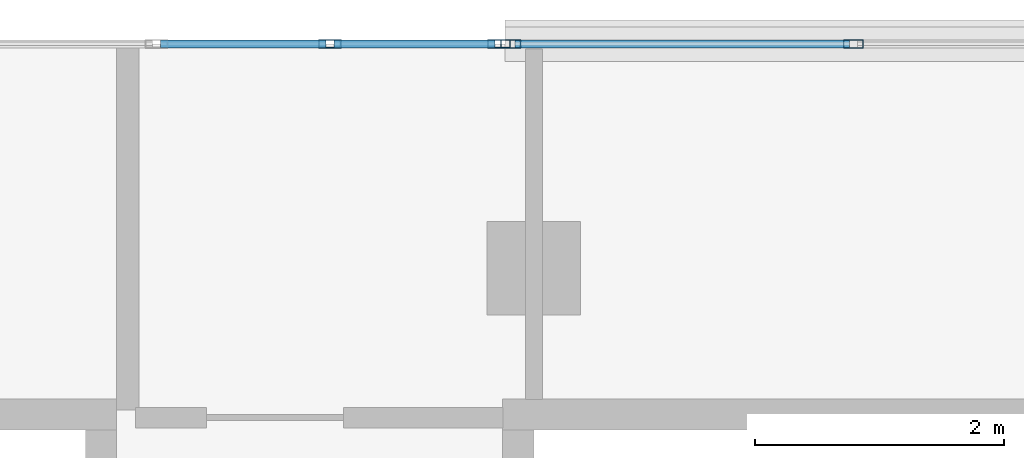
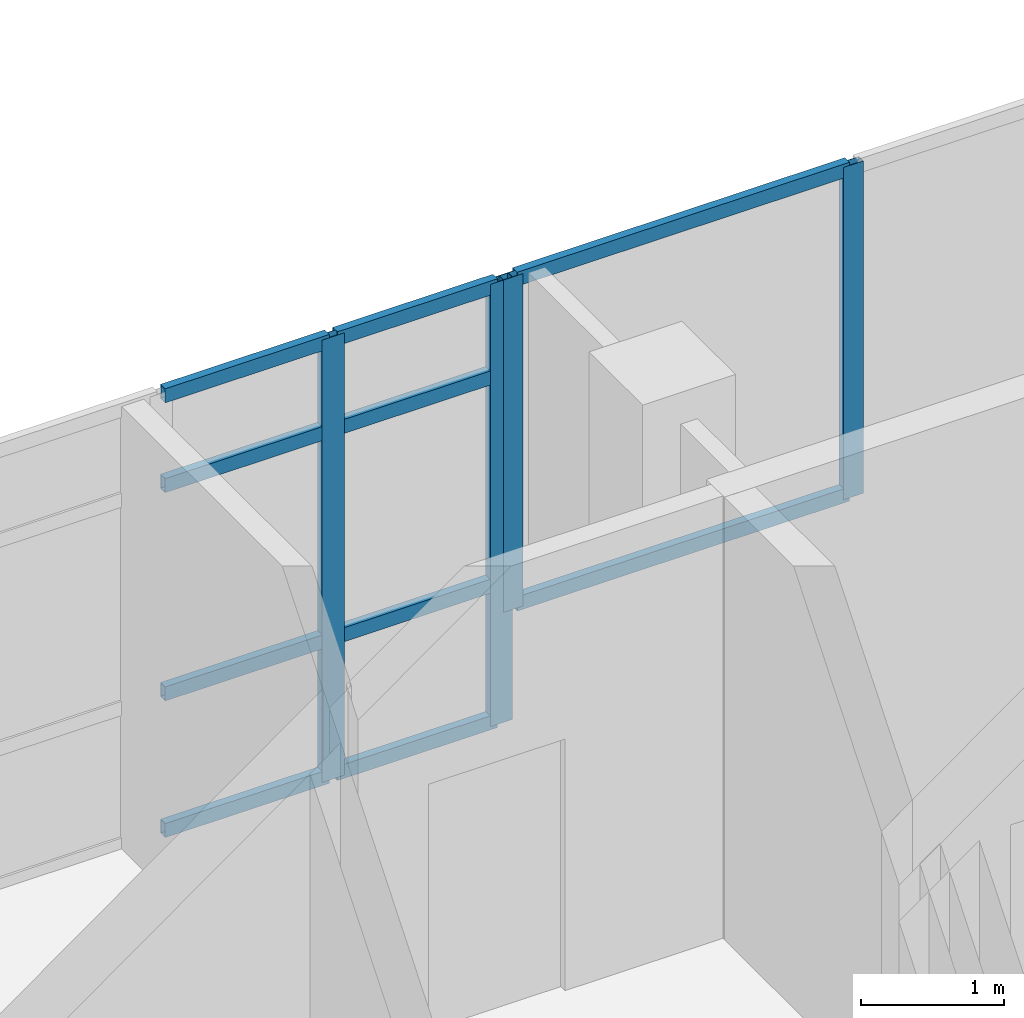
# One storey, part 40 of 76: 14 members, 2 elements without a shape of their own.
"""IFC4 building model written with IfcOpenShell, lengths in metres."""

from ifc_helpers import new_model, si_unit, direction, frame, origin, origin_2d, place, context, subcontext, project, spatial, hollow_rectangle, extrude, material, material_profile, profile_set, type_object, element, aggregate, save


model = new_model("IFC4")

# Units and contexts
model_context = context("Model", 3, precision=1e-05, world=origin(), true_north=direction((0.0, 1.0)))
body_context = subcontext(model_context, "Body", "Model", "MODEL_VIEW")
ifc_project = project(units=[si_unit("LENGTHUNIT", "METRE"), si_unit("AREAUNIT", "SQUARE_METRE"), si_unit("VOLUMEUNIT", "CUBIC_METRE"), si_unit("PLANEANGLEUNIT", "RADIAN"), si_unit("MASSUNIT", "GRAM", prefix="KILO")], contexts=[model_context])

# Site, building, storey
site_placement = place(None, origin())
site = spatial("IfcSite", under=ifc_project, at=site_placement, CompositionType="ELEMENT")
building_placement = place(site_placement, origin())
building = spatial("IfcBuilding", under=site, at=building_placement, Name="Selatvlak General Hospital", CompositionType="ELEMENT")
storey_placement = place(building_placement, frame((0.0, 0.0, 27.300048828125)))
storey = spatial("IfcBuildingStorey", under=building, at=storey_placement, Name="L06", CompositionType="ELEMENT", Elevation=27.300048828125)

# Curtain wall, members
ifc_material_1 = material(Name="Solar-control Low-E double glazing", Category="glass")
curtain_wall_type_1 = type_object("IfcCurtainWallType", Name="CW-CW-01", PredefinedType="USERDEFINED", material=ifc_material_1)
curtain_wall_1_placement = place(storey_placement, origin())
curtain_wall_1 = element("IfcCurtainWall", 1, at=curtain_wall_1_placement, inside=storey, type_object=curtain_wall_type_1, Name="Glazed facade curtain wall CW-L06-0609", ObjectType="UNITISED CURTAIN WALL", PredefinedType="USERDEFINED")
ifc_material_2 = material(Name="Dark anodised aluminium mullion", Category="aluminium")
ifc_material_profile_1 = material_profile(ifc_material_2, hollow_rectangle(XDim=0.06494140625, YDim=0.159912109375, WallThickness=0.00390625, at=origin_2d()), Name="AL-MUL 65x160x4")
ifc_profile_set_1 = profile_set([ifc_material_profile_1], Name="Dark anodised aluminium mullion")
member_type_1 = type_object("IfcMemberType", Name="CWM-01", PredefinedType="MULLION", material=ifc_profile_set_1)
member_1_placement = place(storey_placement, frame((115.015380859375, 120.0, 0.93994140625), z_axis=(0.0, 0.0, 1.0), x_axis=(0.0, 1.0, 0.0)))
member_1 = element("IfcMember", 2, at=member_1_placement, type_object=member_type_1, Name="CW-01 mullion 1", PredefinedType="MULLION", context=body_context, shape_type="SweptSolid", body=[
    extrude(hollow_rectangle(XDim=0.06494140625, YDim=0.159912109375, WallThickness=0.00390625, at=origin_2d()), origin(), (0.0, 0.0, 1.0), 2.840087890625),
])
member_2_placement = place(storey_placement, frame((117.76611328125, 120.0, 0.93994140625), z_axis=(0.0, 0.0, 1.0), x_axis=(0.0, 1.0, 0.0)))
member_2 = element("IfcMember", 3, at=member_2_placement, type_object=member_type_1, Name="CW-01 mullion 2", PredefinedType="MULLION", context=body_context, shape_type="SweptSolid", body=[
    extrude(hollow_rectangle(XDim=0.06494140625, YDim=0.159912109375, WallThickness=0.00390625, at=origin_2d()), origin(), (0.0, 0.0, 1.0), 2.840087890625),
])

curtain_wall_type_2 = type_object("IfcCurtainWallType", Name="CW-CW-04", PredefinedType="USERDEFINED", material=ifc_material_1)
curtain_wall_2_placement = place(storey_placement, origin())
curtain_wall_2 = element("IfcCurtainWall", 4, at=curtain_wall_2_placement, inside=storey, type_object=curtain_wall_type_2, Name="Glazed facade curtain wall CW-L06-0608", ObjectType="STICK GLAZING WALL", PredefinedType="USERDEFINED")
ifc_material_profile_2 = material_profile(ifc_material_2, hollow_rectangle(XDim=0.06494140625, YDim=0.179931640625, WallThickness=0.00439453125, at=origin_2d()), Name="AL-MUL 65x180x4.5")
ifc_profile_set_2 = profile_set([ifc_material_profile_2], Name="Dark anodised aluminium mullion")
member_type_2 = type_object("IfcMemberType", Name="CWM-02", PredefinedType="MULLION", material=ifc_profile_set_2)
member_3_placement = place(storey_placement, frame((113.5615234375, 120.0, 0.0), z_axis=(0.0, 0.0, 1.0), x_axis=(0.0, 1.0, 0.0)))
member_3 = element("IfcMember", 5, at=member_3_placement, type_object=member_type_2, Name="CW-04 mullion 6", PredefinedType="MULLION", context=body_context, shape_type="SweptSolid", body=[
    extrude(hollow_rectangle(XDim=0.06494140625, YDim=0.179931640625, WallThickness=0.00439453125, at=origin_2d()), origin(), (0.0, 0.0, 1.0), 3.780029296875),
])
member_4_placement = place(storey_placement, frame((114.92041015625, 120.0, 0.0), z_axis=(0.0, 0.0, 1.0), x_axis=(0.0, 1.0, 0.0)))
member_4 = element("IfcMember", 6, at=member_4_placement, type_object=member_type_2, Name="CW-04 mullion 7", PredefinedType="MULLION", context=body_context, shape_type="SweptSolid", body=[
    extrude(hollow_rectangle(XDim=0.06494140625, YDim=0.179931640625, WallThickness=0.00439453125, at=origin_2d()), origin(), (0.0, 0.0, 1.0), 3.780029296875),
])
ifc_material_profile_3 = material_profile(ifc_material_2, hollow_rectangle(XDim=0.06494140625, YDim=0.1201171875, WallThickness=0.00390625, at=origin_2d()), Name="AL-TRN 65x120x4")
ifc_profile_set_3 = profile_set([ifc_material_profile_3], Name="Dark anodised aluminium mullion")
member_type_3 = type_object("IfcMemberType", Name="CWT-01", PredefinedType="USERDEFINED", material=ifc_profile_set_3)
member_5_placement = place(storey_placement, frame((112.202392578125, 120.0, 0.032470703125), z_axis=(1.0, 0.0, 0.0), x_axis=(0.0, 1.0, 0.0)))
member_5 = element("IfcMember", 7, at=member_5_placement, type_object=member_type_3, Name="CW-04 transom 5.1", ObjectType="TRANSOM", PredefinedType="USERDEFINED", context=body_context, shape_type="SweptSolid", body=[
    extrude(hollow_rectangle(XDim=0.06494140625, YDim=0.1201171875, WallThickness=0.00390625, at=origin_2d()), origin(), (0.0, 0.0, 1.0), 1.32666015625),
])
member_6_placement = place(storey_placement, frame((112.202392578125, 120.0, 1.199951171875), z_axis=(1.0, 0.0, 0.0), x_axis=(0.0, 1.0, 0.0)))
member_6 = element("IfcMember", 8, at=member_6_placement, type_object=member_type_3, Name="CW-04 transom 5.2", ObjectType="TRANSOM", PredefinedType="USERDEFINED", context=body_context, shape_type="SweptSolid", body=[
    extrude(hollow_rectangle(XDim=0.06494140625, YDim=0.1201171875, WallThickness=0.00390625, at=origin_2d()), origin(), (0.0, 0.0, 1.0), 1.32666015625),
])
member_7_placement = place(storey_placement, frame((112.202392578125, 120.0, 2.97998046875), z_axis=(1.0, 0.0, 0.0), x_axis=(0.0, 1.0, 0.0)))
member_7 = element("IfcMember", 9, at=member_7_placement, type_object=member_type_3, Name="CW-04 transom 5.3", ObjectType="TRANSOM", PredefinedType="USERDEFINED", context=body_context, shape_type="SweptSolid", body=[
    extrude(hollow_rectangle(XDim=0.06494140625, YDim=0.1201171875, WallThickness=0.00390625, at=origin_2d()), origin(), (0.0, 0.0, 1.0), 1.32666015625),
])
member_8_placement = place(storey_placement, frame((112.202392578125, 120.0, 3.74755859375), z_axis=(1.0, 0.0, 0.0), x_axis=(0.0, 1.0, 0.0)))
member_8 = element("IfcMember", 10, at=member_8_placement, type_object=member_type_3, Name="CW-04 transom 5.4", ObjectType="TRANSOM", PredefinedType="USERDEFINED", context=body_context, shape_type="SweptSolid", body=[
    extrude(hollow_rectangle(XDim=0.06494140625, YDim=0.1201171875, WallThickness=0.00390625, at=origin_2d()), origin(), (0.0, 0.0, 1.0), 1.32666015625),
])
member_9_placement = place(storey_placement, frame((113.593994140625, 120.0, 0.032470703125), z_axis=(1.0, 0.0, 0.0), x_axis=(0.0, 1.0, 0.0)))
member_9 = element("IfcMember", 11, at=member_9_placement, type_object=member_type_3, Name="CW-04 transom 6.1", ObjectType="TRANSOM", PredefinedType="USERDEFINED", context=body_context, shape_type="SweptSolid", body=[
    extrude(hollow_rectangle(XDim=0.06494140625, YDim=0.1201171875, WallThickness=0.00390625, at=origin_2d()), origin(), (0.0, 0.0, 1.0), 1.2939453125),
])
member_10_placement = place(storey_placement, frame((113.593994140625, 120.0, 1.199951171875), z_axis=(1.0, 0.0, 0.0), x_axis=(0.0, 1.0, 0.0)))
member_10 = element("IfcMember", 12, at=member_10_placement, type_object=member_type_3, Name="CW-04 transom 6.2", ObjectType="TRANSOM", PredefinedType="USERDEFINED", context=body_context, shape_type="SweptSolid", body=[
    extrude(hollow_rectangle(XDim=0.06494140625, YDim=0.1201171875, WallThickness=0.00390625, at=origin_2d()), origin(), (0.0, 0.0, 1.0), 1.2939453125),
])
member_11_placement = place(storey_placement, frame((113.593994140625, 120.0, 2.97998046875), z_axis=(1.0, 0.0, 0.0), x_axis=(0.0, 1.0, 0.0)))
member_11 = element("IfcMember", 13, at=member_11_placement, type_object=member_type_3, Name="CW-04 transom 6.3", ObjectType="TRANSOM", PredefinedType="USERDEFINED", context=body_context, shape_type="SweptSolid", body=[
    extrude(hollow_rectangle(XDim=0.06494140625, YDim=0.1201171875, WallThickness=0.00390625, at=origin_2d()), origin(), (0.0, 0.0, 1.0), 1.2939453125),
])
member_12_placement = place(storey_placement, frame((113.593994140625, 120.0, 3.74755859375), z_axis=(1.0, 0.0, 0.0), x_axis=(0.0, 1.0, 0.0)))
member_12 = element("IfcMember", 14, at=member_12_placement, type_object=member_type_3, Name="CW-04 transom 6.4", ObjectType="TRANSOM", PredefinedType="USERDEFINED", context=body_context, shape_type="SweptSolid", body=[
    extrude(hollow_rectangle(XDim=0.06494140625, YDim=0.1201171875, WallThickness=0.00390625, at=origin_2d()), origin(), (0.0, 0.0, 1.0), 1.2939453125),
])
aggregate(curtain_wall_2, [member_3, member_4, member_5, member_6, member_7, member_8, member_9, member_10, member_11, member_12])

# Member
member_13_placement = place(storey_placement, frame((115.048095703125, 120.0, 0.972412109375), z_axis=(1.0, 0.0, 0.0), x_axis=(0.0, 1.0, 0.0)))
member_13 = element("IfcMember", 15, at=member_13_placement, type_object=member_type_3, Name="CW-01 transom 1.1", ObjectType="TRANSOM", PredefinedType="USERDEFINED", context=body_context, shape_type="SweptSolid", body=[
    extrude(hollow_rectangle(XDim=0.06494140625, YDim=0.1201171875, WallThickness=0.00390625, at=origin_2d()), origin(), (0.0, 0.0, 1.0), 2.685302734375),
])

member_14_placement = place(storey_placement, frame((115.048095703125, 120.0, 3.74755859375), z_axis=(1.0, 0.0, 0.0), x_axis=(0.0, 1.0, 0.0)))
member_14 = element("IfcMember", 16, at=member_14_placement, type_object=member_type_3, Name="CW-01 transom 1.2", ObjectType="TRANSOM", PredefinedType="USERDEFINED", context=body_context, shape_type="SweptSolid", body=[
    extrude(hollow_rectangle(XDim=0.06494140625, YDim=0.1201171875, WallThickness=0.00390625, at=origin_2d()), origin(), (0.0, 0.0, 1.0), 2.685302734375),
])

aggregate(curtain_wall_1, [member_1, member_2, member_13, member_14])

save(model, "model.ifc")
